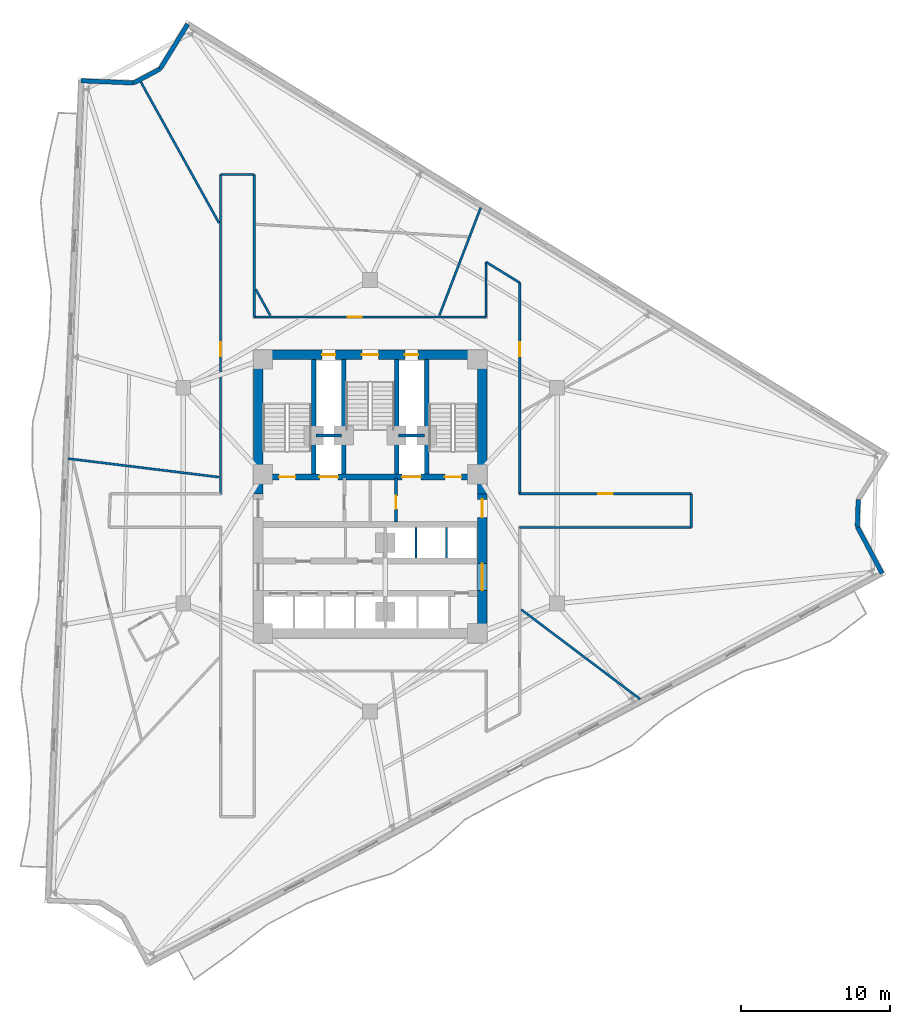
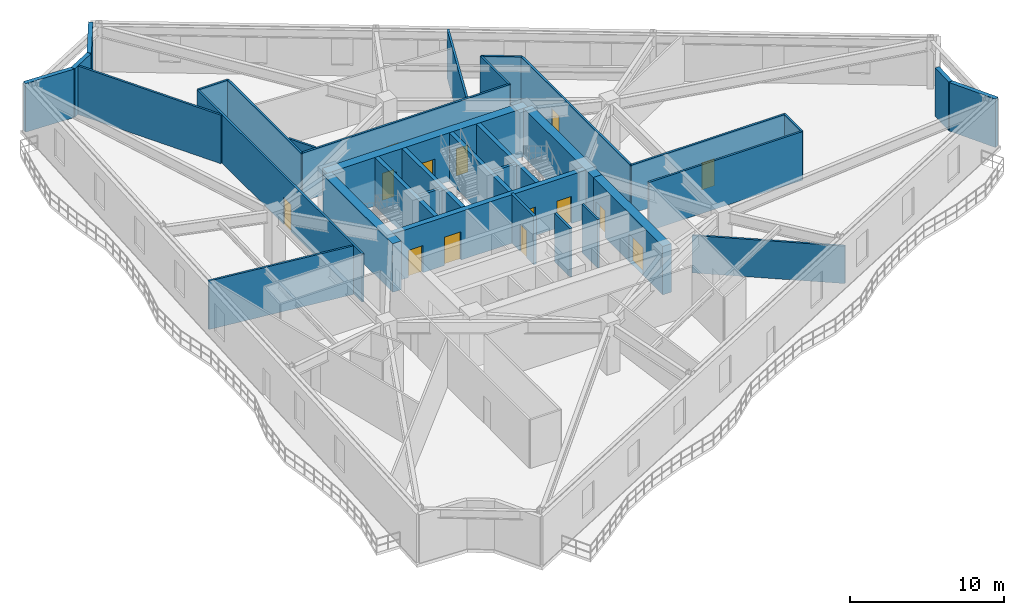
# One storey, part 7 of 11: 34 walls, 14 doors, 14 openings.
"""IFC4 building model written with IfcOpenShell, lengths in metres."""

from ifc_helpers import new_model, si_unit, direction, frame, frame_2d, origin, place, context, subcontext, project, spatial, rectangle, extrude, material, layer, layer_set, type_object, element, fill, save


model = new_model("IFC4")

# Units and contexts
model_context = context("Model", 3, precision=1e-05, world=origin(), true_north=direction((0.0, 1.0)))
body_context = subcontext(model_context, "Body", "Model", "MODEL_VIEW")
ifc_project = project(units=[si_unit("LENGTHUNIT", "METRE"), si_unit("AREAUNIT", "SQUARE_METRE"), si_unit("VOLUMEUNIT", "CUBIC_METRE"), si_unit("PLANEANGLEUNIT", "RADIAN"), si_unit("MASSUNIT", "GRAM", prefix="KILO")], contexts=[model_context])

# Site, building, storey
site_placement = place(None, origin())
site = spatial("IfcSite", under=ifc_project, at=site_placement, CompositionType="ELEMENT")
building_placement = place(site_placement, origin())
building = spatial("IfcBuilding", under=site, at=building_placement, Name="Apsidion Concourse Tower", CompositionType="ELEMENT")
storey_placement = place(building_placement, frame((0.0, 0.0, 169.60009765625)))
storey = spatial("IfcBuildingStorey", under=building, at=storey_placement, Name="L39", CompositionType="ELEMENT", Elevation=169.60009765625)

# Walls
ifc_material_1 = material(Name="Precast concrete C40/50", Category="concrete")
ifc_layer_1 = layer(ifc_material_1, 0.300048828125)
ifc_layer_set_1 = layer_set([ifc_layer_1], Name="Precast concrete C40/50")
wall_type_1 = type_object("IfcWallType", Name="WL-EXT-300", PredefinedType="STANDARD", material=ifc_layer_set_1)
wall_1_placement = place(storey_placement, frame((32.794189453125, -0.25244140625, 0.0), z_axis=(0.0, 0.0, 1.0), x_axis=(-0.031873247483, -0.999491918974, 0.0)))
element("IfcWall", 1, at=wall_1_placement, inside=storey, type_object=wall_type_1, Name="L39 Precast Stone Facade Wall 03", PredefinedType="STANDARD", context=body_context, shape_type="SweptSolid", body=[
    extrude(rectangle(XDim=1.83837890625, YDim=0.300048828125, at=frame_2d((0.919189453125, 0.0))), origin(), (0.0, 0.0, 1.0), 3.849853515625),
])
wall_2_placement = place(storey_placement, frame((32.735595703125, -2.08984375, 0.0), z_axis=(0.0, 0.0, 1.0), x_axis=(0.469464339615, -0.882951433449, 0.0)))
element("IfcWall", 2, at=wall_2_placement, inside=storey, type_object=wall_type_1, Name="L39 Precast Stone Facade Wall 04", PredefinedType="STANDARD", context=body_context, shape_type="SweptSolid", body=[
    extrude(rectangle(XDim=3.54150390625, YDim=0.300048828125, at=frame_2d((1.770751953125, 0.0))), origin(), (0.0, 0.0, 1.0), 3.849853515625),
])
wall_3_placement = place(storey_placement, frame((-19.418212890625, 27.880126953125, 0.0), z_axis=(0.0, 0.0, 1.0), x_axis=(0.999167250485, -0.040802028853, 0.0)))
element("IfcWall", 3, at=wall_3_placement, inside=storey, type_object=wall_type_1, Name="L39 Precast Stone Facade Wall 10", PredefinedType="STANDARD", context=body_context, shape_type="SweptSolid", body=[
    extrude(rectangle(XDim=3.542236328125, YDim=0.300048828125, at=frame_2d((1.77099609375, 0.0))), origin(), (0.0, 0.0, 1.0), 3.849853515625),
])
wall_4_placement = place(storey_placement, frame((-15.87890625, 27.735595703125, 0.0), z_axis=(0.0, 0.0, 1.0), x_axis=(0.882930579665, 0.469503558552, 0.0)))
element("IfcWall", 4, at=wall_4_placement, inside=storey, type_object=wall_type_1, Name="L39 Precast Stone Facade Wall 11", PredefinedType="STANDARD", context=body_context, shape_type="SweptSolid", body=[
    extrude(rectangle(XDim=1.998291015625, YDim=0.300048828125, at=frame_2d((0.9990234375, 0.0))), origin(), (0.0, 0.0, 1.0), 3.849853515625),
])
wall_5_placement = place(storey_placement, frame((-14.114501953125, 28.673828125, 0.0), z_axis=(0.0, 0.0, 1.0), x_axis=(0.524897025004, 0.851165737763, 0.0)))
element("IfcWall", 5, at=wall_5_placement, inside=storey, type_object=wall_type_1, Name="L39 Precast Stone Facade Wall 12", PredefinedType="STANDARD", context=body_context, shape_type="SweptSolid", body=[
    extrude(rectangle(XDim=3.54248046875, YDim=0.300048828125, at=frame_2d((1.771240234375, 0.0))), origin(), (0.0, 0.0, 1.0), 3.849853515625),
])
ifc_material_2 = material(Name="Gypsum plasterboard partition")
ifc_layer_2 = layer(ifc_material_2, 0.14990234375)
ifc_layer_set_2 = layer_set([ifc_layer_2], Name="Gypsum plasterboard partition")
wall_type_2 = type_object("IfcWallType", Name="WL-INT-PAR-150", PredefinedType="PARTITIONING", material=ifc_layer_set_2)
for number, where, z_axis, x_axis, name in (
    (6, (3.074951171875, -4.179931640625, 0.0), (0.0, 0.0, 1.0), (0.0, 1.0, 0.0), "L39 Interior Partition WL-L39-B3DIV-1"),
    (7, (5.125, -4.179931640625, 0.0), (0.0, 0.0, 1.0), (0.0, 1.0, 0.0), "L39 Interior Partition WL-L39-B3DIV-2"),
):
    element("IfcWall", number, at=place(storey_placement, frame(where, z_axis=z_axis, x_axis=x_axis)), inside=storey, type_object=wall_type_2, Name=name, PredefinedType="PARTITIONING", context=body_context, shape_type="SweptSolid", body=[
        extrude(rectangle(XDim=2.030029296875, YDim=0.14990234375, at=frame_2d((1.01513671875, 0.0))), origin(), (0.0, 0.0, 1.0), 3.849853515625),
    ])

# Wall, opening, door
wall_6_placement = place(storey_placement, frame((-10.050048828125, 0.1298828125, 0.0), z_axis=(0.0, 0.0, 1.0), x_axis=(0.0, 1.0, 0.0)))
wall_6 = element("IfcWall", 8, at=wall_6_placement, inside=storey, type_object=wall_type_2, Name="L39 Interior Partition WL-L39-CORR-10", PredefinedType="PARTITIONING", context=body_context, shape_type="SweptSolid", body=[
    extrude(rectangle(XDim=21.4501953125, YDim=0.14990234375, at=frame_2d((10.72509765625, 0.0))), origin(), (0.0, 0.0, 1.0), 3.849853515625),
])
opening_1_placement = place(wall_6_placement, frame((9.22900390625, 0.0, 0.0)))
opening_1 = element("IfcOpeningElement", 9, at=opening_1_placement, cuts=wall_6, Name="Opening D-01L", PredefinedType="OPENING", context=body_context, shape_type="SweptSolid", body=[
    extrude(rectangle(XDim=0.949951171875, YDim=2.14990234375, at=frame_2d((0.47509765625, 1.074951171875))), frame((0.0, 0.0849609375, 0.0), z_axis=(0.0, -1.0, 0.0), x_axis=(1.0, 0.0, 0.0)), (0.0, 0.0, 1.0), 0.169921875),
])
ifc_material_3 = material(Name="Brushed stainless steel 316", Category="steel")
door_type_1 = type_object("IfcDoorType", Name="DR-INT-D01L", OperationType="SINGLE_SWING_LEFT", PredefinedType="DOOR", material=ifc_material_3)
door_1_placement = place(opening_1_placement, origin())
door_1 = element("IfcDoor", 10, at=door_1_placement, inside=storey, type_object=door_type_1, Name="L39 Corridor Entry Door 07", OperationType="SINGLE_SWING_LEFT", OverallHeight=2.14990234375, OverallWidth=0.949951171875, PredefinedType="DOOR", context=body_context, shape_type="SweptSolid", body=[
    extrude(rectangle(XDim=0.949951171875, YDim=2.14990234375, at=frame_2d((0.47509765625, 1.074951171875))), frame((0.0, 0.02490234375, 0.0), z_axis=(0.0, -1.0, 0.0), x_axis=(1.0, 0.0, 0.0)), (0.0, 0.0, 1.0), 0.050048828125),
])
fill(opening_1, door_1)

# Walls
wall_7_placement = place(storey_placement, frame((-10.050048828125, 21.580078125, 0.0), z_axis=(0.0, 0.0, 1.0), x_axis=(1.0, 0.0, 0.0)))
element("IfcWall", 11, at=wall_7_placement, inside=storey, type_object=wall_type_2, Name="L39 Interior Partition WL-L39-CORR-11", PredefinedType="PARTITIONING", context=body_context, shape_type="SweptSolid", body=[
    extrude(rectangle(XDim=2.260009765625, YDim=0.14990234375, at=frame_2d((1.1298828125, 0.0))), origin(), (0.0, 0.0, 1.0), 3.849853515625),
])
wall_8_placement = place(storey_placement, frame((-7.7900390625, 21.580078125, 0.0), z_axis=(0.0, 0.0, 1.0), x_axis=(0.0, -1.0, 0.0)))
element("IfcWall", 12, at=wall_8_placement, inside=storey, type_object=wall_type_2, Name="L39 Interior Partition WL-L39-CORR-12", PredefinedType="PARTITIONING", context=body_context, shape_type="SweptSolid", body=[
    extrude(rectangle(XDim=9.580078125, YDim=0.14990234375, at=frame_2d((4.7900390625, 0.0))), origin(), (0.0, 0.0, 1.0), 3.849853515625),
])

# Wall, opening, door
wall_9_placement = place(storey_placement, frame((-7.7900390625, 12.0, 0.0), z_axis=(0.0, 0.0, 1.0), x_axis=(1.0, 0.0, 0.0)))
wall_9 = element("IfcWall", 13, at=wall_9_placement, inside=storey, type_object=wall_type_2, Name="L39 Interior Partition WL-L39-CORR-13", PredefinedType="PARTITIONING", context=body_context, shape_type="SweptSolid", body=[
    extrude(rectangle(XDim=15.580078125, YDim=0.14990234375, at=frame_2d((7.7900390625, 0.0))), origin(), (0.0, 0.0, 1.0), 3.849853515625),
])
opening_2_placement = place(wall_9_placement, frame((6.281982421875, 0.0, 0.0)))
opening_2 = element("IfcOpeningElement", 14, at=opening_2_placement, cuts=wall_9, Name="Opening D-01R", PredefinedType="OPENING", context=body_context, shape_type="SweptSolid", body=[
    extrude(rectangle(XDim=0.949951171875, YDim=2.14990234375, at=frame_2d((0.47509765625, 1.074951171875))), frame((0.0, 0.0849609375, 0.0), z_axis=(0.0, -1.0, 0.0), x_axis=(1.0, 0.0, 0.0)), (0.0, 0.0, 1.0), 0.169921875),
])
door_type_2 = type_object("IfcDoorType", Name="DR-INT-D01R", OperationType="SINGLE_SWING_RIGHT", PredefinedType="DOOR", material=ifc_material_3)
door_2_placement = place(opening_2_placement, origin())
door_2 = element("IfcDoor", 15, at=door_2_placement, inside=storey, type_object=door_type_2, Name="L39 Corridor Entry Door 06", OperationType="SINGLE_SWING_RIGHT", OverallHeight=2.14990234375, OverallWidth=0.949951171875, PredefinedType="DOOR", context=body_context, shape_type="SweptSolid", body=[
    extrude(rectangle(XDim=0.949951171875, YDim=2.14990234375, at=frame_2d((0.47509765625, 1.074951171875))), frame((0.0, 0.02490234375, 0.0), z_axis=(0.0, -1.0, 0.0), x_axis=(1.0, 0.0, 0.0)), (0.0, 0.0, 1.0), 0.050048828125),
])
fill(opening_2, door_2)

# Walls
wall_10_placement = place(storey_placement, frame((7.7900390625, 12.0, 0.0), z_axis=(0.0, 0.0, 1.0), x_axis=(0.0, 1.0, 0.0)))
element("IfcWall", 16, at=wall_10_placement, inside=storey, type_object=wall_type_2, Name="L39 Interior Partition WL-L39-CORR-14", PredefinedType="PARTITIONING", context=body_context, shape_type="SweptSolid", body=[
    extrude(rectangle(XDim=3.703125, YDim=0.14990234375, at=frame_2d((1.8515625, 0.0))), origin(), (0.0, 0.0, 1.0), 3.849853515625),
])
wall_11_placement = place(storey_placement, frame((7.7900390625, 15.703125, 0.0), z_axis=(0.0, 0.0, 1.0), x_axis=(0.851190724913, -0.52485650403, 0.0)))
element("IfcWall", 17, at=wall_11_placement, inside=storey, type_object=wall_type_2, Name="L39 Interior Partition WL-L39-CORR-15", PredefinedType="PARTITIONING", context=body_context, shape_type="SweptSolid", body=[
    extrude(rectangle(XDim=2.655029296875, YDim=0.14990234375, at=frame_2d((1.32763671875, 0.0))), origin(), (0.0, 0.0, 1.0), 3.849853515625),
])

# Wall, opening, door
wall_12_placement = place(storey_placement, frame((10.050048828125, 14.3095703125, 0.0), z_axis=(0.0, 0.0, 1.0), x_axis=(0.0, -1.0, 0.0)))
wall_12 = element("IfcWall", 18, at=wall_12_placement, inside=storey, type_object=wall_type_2, Name="L39 Interior Partition WL-L39-CORR-16", PredefinedType="PARTITIONING", context=body_context, shape_type="SweptSolid", body=[
    extrude(rectangle(XDim=14.1796875, YDim=0.14990234375, at=frame_2d((7.08984375, 0.0))), origin(), (0.0, 0.0, 1.0), 3.849853515625),
])
opening_3_placement = place(wall_12_placement, frame((3.994384765625, 0.0, 0.0)))
opening_3 = element("IfcOpeningElement", 19, at=opening_3_placement, cuts=wall_12, Name="Opening D-01L", PredefinedType="OPENING", context=body_context, shape_type="SweptSolid", body=[
    extrude(rectangle(XDim=0.949951171875, YDim=2.14990234375, at=frame_2d((0.47509765625, 1.074951171875))), frame((0.0, 0.0849609375, 0.0), z_axis=(0.0, -1.0, 0.0), x_axis=(1.0, 0.0, 0.0)), (0.0, 0.0, 1.0), 0.169921875),
])
door_3_placement = place(opening_3_placement, origin())
door_3 = element("IfcDoor", 20, at=door_3_placement, inside=storey, type_object=door_type_1, Name="L39 Corridor Entry Door 05", OperationType="SINGLE_SWING_LEFT", OverallHeight=2.14990234375, OverallWidth=0.949951171875, PredefinedType="DOOR", context=body_context, shape_type="SweptSolid", body=[
    extrude(rectangle(XDim=0.949951171875, YDim=2.14990234375, at=frame_2d((0.47509765625, 1.074951171875))), frame((0.0, 0.02490234375, 0.0), z_axis=(0.0, -1.0, 0.0), x_axis=(1.0, 0.0, 0.0)), (0.0, 0.0, 1.0), 0.050048828125),
])
fill(opening_3, door_3)

wall_13_placement = place(storey_placement, frame((10.050048828125, 0.1298828125, 0.0), z_axis=(0.0, 0.0, 1.0), x_axis=(1.0, 0.0, 0.0)))
wall_13 = element("IfcWall", 21, at=wall_13_placement, inside=storey, type_object=wall_type_2, Name="L39 Interior Partition WL-L39-CORR-17", PredefinedType="PARTITIONING", context=body_context, shape_type="SweptSolid", body=[
    extrude(rectangle(XDim=11.530029296875, YDim=0.14990234375, at=frame_2d((5.76513671875, 0.0))), origin(), (0.0, 0.0, 1.0), 3.849853515625),
])
opening_4_placement = place(wall_13_placement, frame((5.2900390625, 0.0, 0.0)))
opening_4 = element("IfcOpeningElement", 22, at=opening_4_placement, cuts=wall_13, Name="Opening D-01R", PredefinedType="OPENING", context=body_context, shape_type="SweptSolid", body=[
    extrude(rectangle(XDim=0.949951171875, YDim=2.14990234375, at=frame_2d((0.47509765625, 1.074951171875))), frame((0.0, 0.0849609375, 0.0), z_axis=(0.0, -1.0, 0.0), x_axis=(1.0, 0.0, 0.0)), (0.0, 0.0, 1.0), 0.169921875),
])
door_4_placement = place(opening_4_placement, origin())
door_4 = element("IfcDoor", 23, at=door_4_placement, inside=storey, type_object=door_type_2, Name="L39 Corridor Entry Door 04", OperationType="SINGLE_SWING_RIGHT", OverallHeight=2.14990234375, OverallWidth=0.949951171875, PredefinedType="DOOR", context=body_context, shape_type="SweptSolid", body=[
    extrude(rectangle(XDim=0.949951171875, YDim=2.14990234375, at=frame_2d((0.47509765625, 1.074951171875))), frame((0.0, 0.02490234375, 0.0), z_axis=(0.0, -1.0, 0.0), x_axis=(1.0, 0.0, 0.0)), (0.0, 0.0, 1.0), 0.050048828125),
])
fill(opening_4, door_4)

# Walls
wall_14_placement = place(storey_placement, frame((21.580078125, 0.1298828125, 0.0), z_axis=(0.0, 0.0, 1.0), x_axis=(0.0, -1.0, 0.0)))
element("IfcWall", 24, at=wall_14_placement, inside=storey, type_object=wall_type_2, Name="L39 Interior Partition WL-L39-CORR-18", PredefinedType="PARTITIONING", context=body_context, shape_type="SweptSolid", body=[
    extrude(rectangle(XDim=2.259765625, YDim=0.14990234375, at=frame_2d((1.1298828125, 0.0))), origin(), (0.0, 0.0, 1.0), 3.849853515625),
])
wall_15_placement = place(storey_placement, frame((21.580078125, -2.1298828125, 0.0), z_axis=(0.0, 0.0, 1.0), x_axis=(-1.0, 0.0, 0.0)))
element("IfcWall", 25, at=wall_15_placement, inside=storey, type_object=wall_type_2, Name="L39 Interior Partition WL-L39-CORR-19", PredefinedType="PARTITIONING", context=body_context, shape_type="SweptSolid", body=[
    extrude(rectangle(XDim=11.530029296875, YDim=0.14990234375, at=frame_2d((5.76513671875, 0.0))), origin(), (0.0, 0.0, 1.0), 3.849853515625),
])
wall_16_placement = place(storey_placement, frame((4.646728515625, 12.10498046875, 0.0), z_axis=(0.0, 0.0, 1.0), x_axis=(0.358357593809, 0.933584401626, 0.0)))
element("IfcWall", 26, at=wall_16_placement, inside=storey, type_object=wall_type_2, Name="L39 Interior Partition WL-L39-RAD-02-1", PredefinedType="PARTITIONING", context=body_context, shape_type="SweptSolid", body=[
    extrude(rectangle(XDim=7.7666015625, YDim=0.14990234375, at=frame_2d((3.88330078125, 0.0))), origin(), (0.0, 0.0, 1.0), 3.849853515625),
])
wall_17_placement = place(storey_placement, frame((-6.7099609375, 12.10498046875, 0.0), z_axis=(0.0, 0.0, 1.0), x_axis=(-0.484828496674, 0.874609243499, 0.0)))
element("IfcWall", 27, at=wall_17_placement, inside=storey, type_object=wall_type_2, Name="L39 Interior Partition WL-L39-RAD-03-1", PredefinedType="PARTITIONING", context=body_context, shape_type="SweptSolid", body=[
    extrude(rectangle(XDim=2.01123046875, YDim=0.14990234375, at=frame_2d((1.005615234375, 0.0))), origin(), (0.0, 0.0, 1.0), 3.849853515625),
])
wall_18_placement = place(storey_placement, frame((-10.155029296875, 18.320068359375, 0.0), z_axis=(0.0, 0.0, 1.0), x_axis=(-0.484801096568, 0.874624431837, 0.0)))
element("IfcWall", 28, at=wall_18_placement, inside=storey, type_object=wall_type_2, Name="L39 Interior Partition WL-L39-RAD-03-2", PredefinedType="PARTITIONING", context=body_context, shape_type="SweptSolid", body=[
    extrude(rectangle(XDim=10.837158203125, YDim=0.14990234375, at=frame_2d((5.41845703125, 0.0))), origin(), (0.0, 0.0, 1.0), 3.849853515625),
])
wall_19_placement = place(storey_placement, frame((-10.155029296875, 1.246826171875, 0.0), z_axis=(0.0, 0.0, 1.0), x_axis=(-0.992546956358, 0.121862789337, 0.0)))
element("IfcWall", 29, at=wall_19_placement, inside=storey, type_object=wall_type_2, Name="L39 Interior Partition WL-L39-RAD-04-1", PredefinedType="PARTITIONING", context=body_context, shape_type="SweptSolid", body=[
    extrude(rectangle(XDim=10.21142578125, YDim=0.14990234375, at=frame_2d((5.105712890625, 0.0))), origin(), (0.0, 0.0, 1.0), 3.849853515625),
])
wall_20_placement = place(storey_placement, frame((10.155029296875, -7.65234375, 0.0), z_axis=(0.0, 0.0, 1.0), x_axis=(0.798633112635, -0.601818204613, 0.0)))
element("IfcWall", 30, at=wall_20_placement, inside=storey, type_object=wall_type_2, Name="L39 Interior Partition WL-L39-RAD-07-1", PredefinedType="PARTITIONING", context=body_context, shape_type="SweptSolid", body=[
    extrude(rectangle(XDim=10.003173828125, YDim=0.14990234375, at=frame_2d((5.00146484375, 0.0))), origin(), (0.0, 0.0, 1.0), 2.970947265625),
])
ifc_layer_3 = layer(ifc_material_2, 0.199951171875)
ifc_layer_set_3 = layer_set([ifc_layer_3], Name="Gypsum plasterboard partition")
wall_type_3 = type_object("IfcWallType", Name="WL-INT-PAR-200", PredefinedType="PARTITIONING", material=ifc_layer_set_3)
for number, where, z_axis, x_axis, name in (
    (31, (-3.64990234375, 4.050048828125, 0.0), (0.0, 0.0, 1.0), (1.0, 0.0, 0.0), "L39 Interior Partition WL-L39-FF1-N"),
    (32, (1.919921875, 4.050048828125, 0.0), (0.0, 0.0, 1.0), (1.0, 0.0, 0.0), "L39 Interior Partition WL-L39-FF2-N"),
):
    element("IfcWall", number, at=place(storey_placement, frame(where, z_axis=z_axis, x_axis=x_axis)), inside=storey, type_object=wall_type_3, Name=name, PredefinedType="PARTITIONING", context=body_context, shape_type="SweptSolid", body=[
        extrude(rectangle(XDim=1.72998046875, YDim=0.199951171875, at=frame_2d((0.864990234375, 0.0))), origin(), (0.0, 0.0, 1.0), 3.849853515625),
    ])

# Wall, opening, door
wall_21_placement = place(storey_placement, frame((1.739990234375, -1.780029296875, 0.0), z_axis=(0.0, 0.0, 1.0), x_axis=(0.0, 1.0, 0.0)))
wall_21 = element("IfcWall", 33, at=wall_21_placement, inside=storey, type_object=wall_type_3, Name="L39 Interior Partition WL-L39-FF2-W", PredefinedType="PARTITIONING", context=body_context, shape_type="SweptSolid", body=[
    extrude(rectangle(XDim=2.97998046875, YDim=0.199951171875, at=frame_2d((1.489990234375, 0.0))), origin(), (0.0, 0.0, 1.0), 3.849853515625),
])
opening_5_placement = place(wall_21_placement, frame((0.889892578125, 0.0, 0.0)))
opening_5 = element("IfcOpeningElement", 34, at=opening_5_placement, cuts=wall_21, Name="Opening D-05L", PredefinedType="OPENING", context=body_context, shape_type="SweptSolid", body=[
    extrude(rectangle(XDim=0.8798828125, YDim=2.14990234375, at=frame_2d((0.43994140625, 1.074951171875))), frame((0.0, 0.10986328125, 0.0), z_axis=(0.0, -1.0, 0.0), x_axis=(1.0, 0.0, 0.0)), (0.0, 0.0, 1.0), 0.219970703125),
])
door_type_3 = type_object("IfcDoorType", Name="DR-INT-D05L", OperationType="SINGLE_SWING_LEFT", PredefinedType="DOOR", material=ifc_material_3)
door_5_placement = place(opening_5_placement, origin())
door_5 = element("IfcDoor", 35, at=door_5_placement, inside=storey, type_object=door_type_3, Name="L39 Core Electrical Door", OperationType="SINGLE_SWING_LEFT", OverallHeight=2.14990234375, OverallWidth=0.8798828125, PredefinedType="DOOR", context=body_context, shape_type="SweptSolid", body=[
    extrude(rectangle(XDim=0.8798828125, YDim=2.14990234375, at=frame_2d((0.43994140625, 1.074951171875))), frame((0.0, 0.02490234375, 0.0), z_axis=(0.0, -1.0, 0.0), x_axis=(1.0, 0.0, 0.0)), (0.0, 0.0, 1.0), 0.050048828125),
])
fill(opening_5, door_5)

# Walls
ifc_material_4 = material(Name="Concrete C50/60", Category="concrete")
ifc_layer_4 = layer(ifc_material_4, 0.300048828125)
ifc_layer_set_4 = layer_set([ifc_layer_4], Name="Concrete C50/60")
wall_type_4 = type_object("IfcWallType", Name="WL-SH-300", PredefinedType="SHEAR", material=ifc_layer_set_4)
for number, where, z_axis, x_axis, name in (
    (36, (-3.800048828125, 1.449951171875, 0.0), (0.0, 0.0, 1.0), (0.0, 1.0, 0.0), "L39 Central Core Shear Wall V1"),
    (37, (-1.77490234375, 1.449951171875, 0.0), (0.0, 0.0, 1.0), (0.0, 1.0, 0.0), "L39 Central Core Shear Wall V2"),
    (38, (1.77490234375, 1.449951171875, 0.0), (0.0, 0.0, 1.0), (0.0, 1.0, 0.0), "L39 Central Core Shear Wall V3"),
    (39, (3.800048828125, 1.449951171875, 0.0), (0.0, 0.0, 1.0), (0.0, 1.0, 0.0), "L39 Central Core Shear Wall V4"),
):
    element("IfcWall", number, at=place(storey_placement, frame(where, z_axis=z_axis, x_axis=x_axis)), inside=storey, type_object=wall_type_4, Name=name, PredefinedType="SHEAR", context=body_context, shape_type="SweptSolid", body=[
        extrude(rectangle(XDim=7.699951171875, YDim=0.300048828125, at=frame_2d((3.85009765625, 0.0))), origin(), (0.0, 0.0, 1.0), 3.849853515625),
    ])

# Wall, openings, doors
ifc_layer_5 = layer(ifc_material_4, 0.39990234375)
ifc_layer_set_5 = layer_set([ifc_layer_5], Name="Concrete C50/60")
wall_type_5 = type_object("IfcWallType", Name="WL-SH-400", PredefinedType="SHEAR", material=ifc_layer_set_5)
wall_22_placement = place(storey_placement, frame((-7.199951171875, 1.25, 0.0), z_axis=(0.0, 0.0, 1.0), x_axis=(1.0, 0.0, 0.0)))
wall_22 = element("IfcWall", 40, at=wall_22_placement, inside=storey, type_object=wall_type_5, Name="L39 Central Core Shear Wall M1", PredefinedType="SHEAR", context=body_context, shape_type="SweptSolid", body=[
    extrude(rectangle(XDim=14.39990234375, YDim=0.39990234375, at=frame_2d((7.199951171875, 0.0))), origin(), (0.0, 0.0, 1.0), 3.849853515625),
])
opening_6_placement = place(wall_22_placement, frame((3.794921875, 0.0, 0.0)))
opening_6 = element("IfcOpeningElement", 41, at=opening_6_placement, cuts=wall_22, Name="Opening LD-FF", PredefinedType="OPENING", context=body_context, shape_type="SweptSolid", body=[
    extrude(rectangle(XDim=1.25, YDim=2.25, at=frame_2d((0.625, 1.125))), frame((0.0, 0.2099609375, 0.0), z_axis=(0.0, -1.0, 0.0), x_axis=(1.0, 0.0, 0.0)), (0.0, 0.0, 1.0), 0.419921875),
])
opening_7_placement = place(wall_22_placement, frame((9.35498046875, 0.0, 0.0)))
opening_7 = element("IfcOpeningElement", 42, at=opening_7_placement, cuts=wall_22, Name="Opening LD-FF", PredefinedType="OPENING", context=body_context, shape_type="SweptSolid", body=[
    extrude(rectangle(XDim=1.25, YDim=2.25, at=frame_2d((0.625, 1.125))), frame((0.0, 0.2099609375, 0.0), z_axis=(0.0, -1.0, 0.0), x_axis=(1.0, 0.0, 0.0)), (0.0, 0.0, 1.0), 0.419921875),
])
opening_8_placement = place(wall_22_placement, frame((1.074951171875, 0.0, 0.0)))
opening_8 = element("IfcOpeningElement", 43, at=opening_8_placement, cuts=wall_22, Name="Opening D-STL", PredefinedType="OPENING", context=body_context, shape_type="SweptSolid", body=[
    extrude(rectangle(XDim=1.10009765625, YDim=2.14990234375, at=frame_2d((0.550048828125, 1.074951171875))), frame((0.0, 0.2099609375, 0.0), z_axis=(0.0, -1.0, 0.0), x_axis=(1.0, 0.0, 0.0)), (0.0, 0.0, 1.0), 0.419921875),
])
opening_9_placement = place(wall_22_placement, frame((12.22509765625, 0.0, 0.0)))
opening_9 = element("IfcOpeningElement", 44, at=opening_9_placement, cuts=wall_22, Name="Opening D-STR", PredefinedType="OPENING", context=body_context, shape_type="SweptSolid", body=[
    extrude(rectangle(XDim=1.10009765625, YDim=2.14990234375, at=frame_2d((0.550048828125, 1.074951171875))), frame((0.0, 0.2099609375, 0.0), z_axis=(0.0, -1.0, 0.0), x_axis=(1.0, 0.0, 0.0)), (0.0, 0.0, 1.0), 0.419921875),
])
door_type_4 = type_object("IfcDoorType", Name="DR-INT-ST1L", OperationType="SINGLE_SWING_LEFT", PredefinedType="DOOR", material=ifc_material_3)
door_6_placement = place(opening_8_placement, origin())
door_6 = element("IfcDoor", 45, at=door_6_placement, inside=storey, type_object=door_type_4, Name="L39 Core Exit Stair ST1 Door", OperationType="SINGLE_SWING_LEFT", OverallHeight=2.14990234375, OverallWidth=1.10009765625, PredefinedType="DOOR", context=body_context, shape_type="SweptSolid", body=[
    extrude(rectangle(XDim=1.10009765625, YDim=2.14990234375, at=frame_2d((0.550048828125, 1.074951171875))), frame((0.0, 0.02490234375, 0.0), z_axis=(0.0, -1.0, 0.0), x_axis=(1.0, 0.0, 0.0)), (0.0, 0.0, 1.0), 0.050048828125),
])
fill(opening_8, door_6)
door_type_5 = type_object("IfcDoorType", Name="DR-INT-ST1R", OperationType="SINGLE_SWING_RIGHT", PredefinedType="DOOR", material=ifc_material_3)
door_7_placement = place(opening_9_placement, origin())
door_7 = element("IfcDoor", 46, at=door_7_placement, inside=storey, type_object=door_type_5, Name="L39 Core Exit Stair ST2 Door", OperationType="SINGLE_SWING_RIGHT", OverallHeight=2.14990234375, OverallWidth=1.10009765625, PredefinedType="DOOR", context=body_context, shape_type="SweptSolid", body=[
    extrude(rectangle(XDim=1.10009765625, YDim=2.14990234375, at=frame_2d((0.550048828125, 1.074951171875))), frame((0.0, 0.02490234375, 0.0), z_axis=(0.0, -1.0, 0.0), x_axis=(1.0, 0.0, 0.0)), (0.0, 0.0, 1.0), 0.050048828125),
])
fill(opening_9, door_7)
door_type_6 = type_object("IfcDoorType", Name="DR-LD-FSAE", OperationType="DOUBLE_DOOR_SLIDING", PredefinedType="DOOR", material=ifc_material_3)
door_8_placement = place(opening_6_placement, origin())
door_8 = element("IfcDoor", 47, at=door_8_placement, inside=storey, type_object=door_type_6, Name="L39 Lift Landing Door FF1", OperationType="DOUBLE_DOOR_SLIDING", OverallHeight=2.25, OverallWidth=1.25, PredefinedType="DOOR", context=body_context, shape_type="SweptSolid", body=[
    extrude(rectangle(XDim=1.25, YDim=2.25, at=frame_2d((0.625, 1.125))), frame((0.0, 0.02490234375, 0.0), z_axis=(0.0, -1.0, 0.0), x_axis=(1.0, 0.0, 0.0)), (0.0, 0.0, 1.0), 0.050048828125),
])
fill(opening_6, door_8)
door_9_placement = place(opening_7_placement, origin())
door_9 = element("IfcDoor", 48, at=door_9_placement, inside=storey, type_object=door_type_6, Name="L39 Lift Landing Door FF2", OperationType="DOUBLE_DOOR_SLIDING", OverallHeight=2.25, OverallWidth=1.25, PredefinedType="DOOR", context=body_context, shape_type="SweptSolid", body=[
    extrude(rectangle(XDim=1.25, YDim=2.25, at=frame_2d((0.625, 1.125))), frame((0.0, 0.02490234375, 0.0), z_axis=(0.0, -1.0, 0.0), x_axis=(1.0, 0.0, 0.0)), (0.0, 0.0, 1.0), 0.050048828125),
])
fill(opening_7, door_9)

ifc_layer_6 = layer(ifc_material_4, 0.64990234375)
ifc_layer_set_6 = layer_set([ifc_layer_6], Name="Concrete C50/60")
wall_type_6 = type_object("IfcWallType", Name="WL-SH-650", PredefinedType="SHEAR", material=ifc_layer_set_6)
wall_23_placement = place(storey_placement, frame((-7.52490234375, 9.47509765625, 0.0), z_axis=(0.0, 0.0, 1.0), x_axis=(1.0, 0.0, 0.0)))
wall_23 = element("IfcWall", 49, at=wall_23_placement, inside=storey, type_object=wall_type_6, Name="L39 Central Core Shear Wall N", PredefinedType="SHEAR", context=body_context, shape_type="SweptSolid", body=[
    extrude(rectangle(XDim=15.0498046875, YDim=0.64990234375, at=frame_2d((7.52490234375, 0.0))), origin(), (0.0, 0.0, 1.0), 3.849853515625),
])
opening_10_placement = place(wall_23_placement, frame((6.97509765625, 0.0, 0.0)))
opening_10 = element("IfcOpeningElement", 50, at=opening_10_placement, cuts=wall_23, Name="Opening D-STL", PredefinedType="OPENING", context=body_context, shape_type="SweptSolid", body=[
    extrude(rectangle(XDim=1.10009765625, YDim=2.14990234375, at=frame_2d((0.550048828125, 1.074951171875))), frame((0.0, 0.3349609375, 0.0), z_axis=(0.0, -1.0, 0.0), x_axis=(1.0, 0.0, 0.0)), (0.0, 0.0, 1.0), 0.669921875),
])
opening_11_placement = place(wall_23_placement, frame((4.304931640625, 0.0, 0.0)))
opening_11 = element("IfcOpeningElement", 51, at=opening_11_placement, cuts=wall_23, Name="Opening D-05L", PredefinedType="OPENING", context=body_context, shape_type="SweptSolid", body=[
    extrude(rectangle(XDim=0.8798828125, YDim=2.14990234375, at=frame_2d((0.43994140625, 1.074951171875))), frame((0.0, 0.3349609375, 0.0), z_axis=(0.0, -1.0, 0.0), x_axis=(1.0, 0.0, 0.0)), (0.0, 0.0, 1.0), 0.669921875),
])
opening_12_placement = place(wall_23_placement, frame((9.864990234375, 0.0, 0.0)))
opening_12 = element("IfcOpeningElement", 52, at=opening_12_placement, cuts=wall_23, Name="Opening D-05R", PredefinedType="OPENING", context=body_context, shape_type="SweptSolid", body=[
    extrude(rectangle(XDim=0.8798828125, YDim=2.14990234375, at=frame_2d((0.43994140625, 1.074951171875))), frame((0.0, 0.3349609375, 0.0), z_axis=(0.0, -1.0, 0.0), x_axis=(1.0, 0.0, 0.0)), (0.0, 0.0, 1.0), 0.669921875),
])
door_10_placement = place(opening_11_placement, origin())
door_10 = element("IfcDoor", 53, at=door_10_placement, inside=storey, type_object=door_type_3, Name="L39 Electrical Riser Shaft Access Door", OperationType="SINGLE_SWING_LEFT", OverallHeight=2.14990234375, OverallWidth=0.8798828125, PredefinedType="DOOR", context=body_context, shape_type="SweptSolid", body=[
    extrude(rectangle(XDim=0.8798828125, YDim=2.14990234375, at=frame_2d((0.43994140625, 1.074951171875))), frame((0.0, 0.02490234375, 0.0), z_axis=(0.0, -1.0, 0.0), x_axis=(1.0, 0.0, 0.0)), (0.0, 0.0, 1.0), 0.050048828125),
])
fill(opening_11, door_10)
door_type_7 = type_object("IfcDoorType", Name="DR-INT-D05R", OperationType="SINGLE_SWING_RIGHT", PredefinedType="DOOR", material=ifc_material_3)
door_11_placement = place(opening_12_placement, origin())
door_11 = element("IfcDoor", 54, at=door_11_placement, inside=storey, type_object=door_type_7, Name="L39 Mechanical Riser Shaft Access Door", OperationType="SINGLE_SWING_RIGHT", OverallHeight=2.14990234375, OverallWidth=0.8798828125, PredefinedType="DOOR", context=body_context, shape_type="SweptSolid", body=[
    extrude(rectangle(XDim=0.8798828125, YDim=2.14990234375, at=frame_2d((0.43994140625, 1.074951171875))), frame((0.0, 0.02490234375, 0.0), z_axis=(0.0, -1.0, 0.0), x_axis=(1.0, 0.0, 0.0)), (0.0, 0.0, 1.0), 0.050048828125),
])
fill(opening_12, door_11)
door_12_placement = place(opening_10_placement, origin())
door_12 = element("IfcDoor", 55, at=door_12_placement, inside=storey, type_object=door_type_4, Name="L39 Core Exit Stair ST3 Door", OperationType="SINGLE_SWING_LEFT", OverallHeight=2.14990234375, OverallWidth=1.10009765625, PredefinedType="DOOR", context=body_context, shape_type="SweptSolid", body=[
    extrude(rectangle(XDim=1.10009765625, YDim=2.14990234375, at=frame_2d((0.550048828125, 1.074951171875))), frame((0.0, 0.02490234375, 0.0), z_axis=(0.0, -1.0, 0.0), x_axis=(1.0, 0.0, 0.0)), (0.0, 0.0, 1.0), 0.050048828125),
])
fill(opening_10, door_12)

# Walls
for number, where, z_axis, x_axis, name in (
    (56, (-7.52490234375, 0.10009765625, 0.0), (0.0, 0.0, 1.0), (0.0, 1.0, 0.0), "L39 Central Core Shear Wall WN"),
    (57, (7.52490234375, 0.10009765625, 0.0), (0.0, 0.0, 1.0), (0.0, 1.0, 0.0), "L39 Central Core Shear Wall EN"),
):
    element("IfcWall", number, at=place(storey_placement, frame(where, z_axis=z_axis, x_axis=x_axis)), inside=storey, type_object=wall_type_6, Name=name, PredefinedType="SHEAR", context=body_context, shape_type="SweptSolid", body=[
        extrude(rectangle(XDim=9.0498046875, YDim=0.64990234375, at=frame_2d((4.52490234375, 0.0))), origin(), (0.0, 0.0, 1.0), 3.849853515625),
    ])

# Wall, openings, doors
wall_24_placement = place(storey_placement, frame((7.52490234375, -8.925048828125, 0.0), z_axis=(0.0, 0.0, 1.0), x_axis=(0.0, 1.0, 0.0)))
wall_24 = element("IfcWall", 58, at=wall_24_placement, inside=storey, type_object=wall_type_6, Name="L39 Central Core Shear Wall ES", PredefinedType="SHEAR", context=body_context, shape_type="SweptSolid", body=[
    extrude(rectangle(XDim=9.025146484375, YDim=0.64990234375, at=frame_2d((4.5126953125, 0.0))), origin(), (0.0, 0.0, 1.0), 3.849853515625),
])
opening_13_placement = place(wall_24_placement, frame((2.56494140625, 0.0, 0.0)))
opening_13 = element("IfcOpeningElement", 59, at=opening_13_placement, cuts=wall_24, Name="Opening D-06D", PredefinedType="OPENING", context=body_context, shape_type="SweptSolid", body=[
    extrude(rectangle(XDim=1.800048828125, YDim=2.199951171875, at=frame_2d((0.89990234375, 1.10009765625))), frame((0.0, 0.3349609375, 0.0), z_axis=(0.0, -1.0, 0.0), x_axis=(1.0, 0.0, 0.0)), (0.0, 0.0, 1.0), 0.669921875),
])
opening_14_placement = place(wall_24_placement, frame((7.47509765625, 0.0, 0.0)))
opening_14 = element("IfcOpeningElement", 60, at=opening_14_placement, cuts=wall_24, Name="Opening D-FFR", PredefinedType="OPENING", context=body_context, shape_type="SweptSolid", body=[
    extrude(rectangle(XDim=1.199951171875, YDim=2.14990234375, at=frame_2d((0.60009765625, 1.074951171875))), frame((0.0, 0.3349609375, 0.0), z_axis=(0.0, -1.0, 0.0), x_axis=(1.0, 0.0, 0.0)), (0.0, 0.0, 1.0), 0.669921875),
])
door_type_8 = type_object("IfcDoorType", Name="DR-INT-D06D", OperationType="DOUBLE_DOOR_SINGLE_SWING", PredefinedType="DOOR", material=ifc_material_3)
door_13_placement = place(opening_13_placement, origin())
door_13 = element("IfcDoor", 61, at=door_13_placement, inside=storey, type_object=door_type_8, Name="L39 Passenger Lift Lobby ES Portal Door", OperationType="DOUBLE_DOOR_SINGLE_SWING", OverallHeight=2.199951171875, OverallWidth=1.800048828125, PredefinedType="DOOR", context=body_context, shape_type="SweptSolid", body=[
    extrude(rectangle(XDim=1.800048828125, YDim=2.199951171875, at=frame_2d((0.89990234375, 1.10009765625))), frame((0.0, 0.02490234375, 0.0), z_axis=(0.0, -1.0, 0.0), x_axis=(1.0, 0.0, 0.0)), (0.0, 0.0, 1.0), 0.050048828125),
])
fill(opening_13, door_13)
door_type_9 = type_object("IfcDoorType", Name="DR-INT-FFR", OperationType="SINGLE_SWING_RIGHT", PredefinedType="DOOR", material=ifc_material_3)
door_14_placement = place(opening_14_placement, origin())
door_14 = element("IfcDoor", 62, at=door_14_placement, inside=storey, type_object=door_type_9, Name="L39 Firefighting Lift Lobby FF2 Door", OperationType="SINGLE_SWING_RIGHT", OverallHeight=2.14990234375, OverallWidth=1.199951171875, PredefinedType="DOOR", context=body_context, shape_type="SweptSolid", body=[
    extrude(rectangle(XDim=1.199951171875, YDim=2.14990234375, at=frame_2d((0.60009765625, 1.074951171875))), frame((0.0, 0.02490234375, 0.0), z_axis=(0.0, -1.0, 0.0), x_axis=(1.0, 0.0, 0.0)), (0.0, 0.0, 1.0), 0.050048828125),
])
fill(opening_14, door_14)

save(model, "model.ifc")
